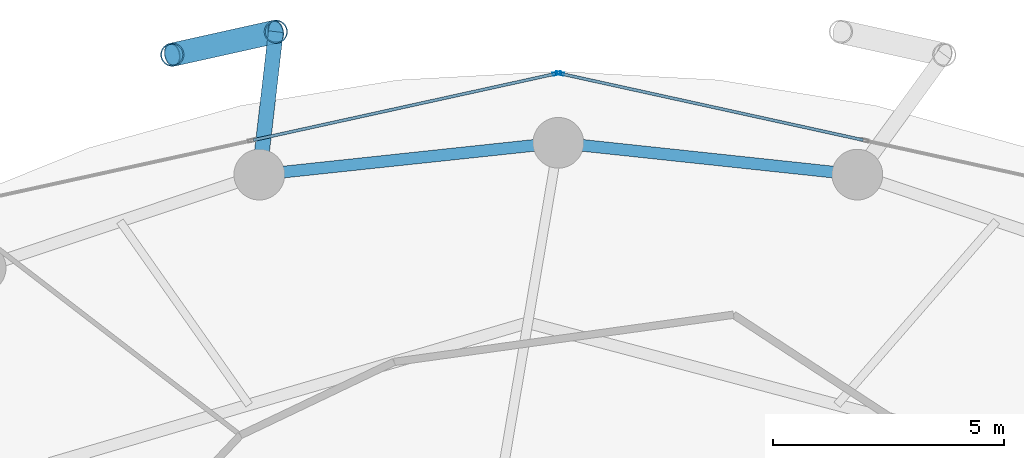
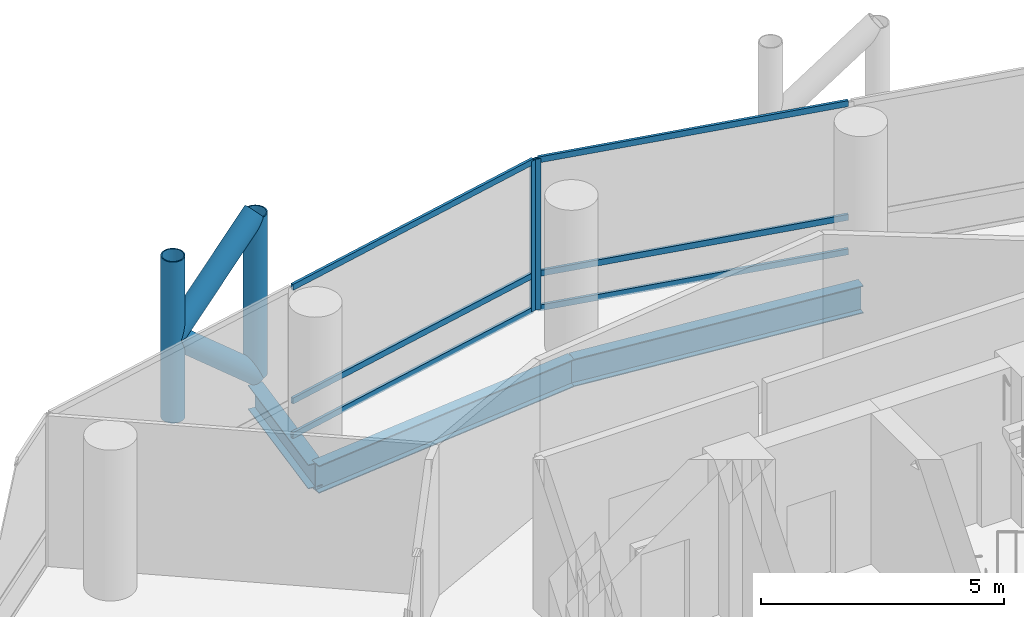
# One storey, part 16 of 24: 12 members, 3 beams, 2 elements without a shape of their own.
"""IFC4 building model written with IfcOpenShell, lengths in metres."""

import ifcopenshell
import ifcopenshell.guid

model = None  # the IFC model being written
_history = None  # IfcOwnerHistory: only IFC2X3 demands one
_inside = {}  # id of a spatial element -> (the spatial element, [elements in it])
_under = {}  # id of a project, library or spatial element -> (it, [spatial elements below it])
_declared = {}  # id of a project -> (the project, [libraries it declares])
_typed = {}  # id of a type object -> (the type object, [elements of that type])
_made_of = {}  # id of a material, layer set ... -> (it, [elements and type objects made of it])


def new_model(schema):
    """Start an empty IFC model of exactly this schema.

    Asked for "IFC4X3", IfcOpenShell would pick the latest addendum, in which some entities
    have other attributes; the version numbers below select the first issue.
    IFC2X3 requires an IfcOwnerHistory on every rooted entity: one is made here for all.
    """
    global model, _history
    if schema == "IFC4X3":
        model = ifcopenshell.file(schema_version=(4, 3, 0, 0))
    else:
        model = ifcopenshell.file(schema=schema)
    _inside.clear()
    _under.clear()
    _declared.clear()
    _typed.clear()
    _made_of.clear()
    _history = None
    if model.schema == "IFC2X3":
        org = make("IfcOrganization", Name="unknown")
        user = make(
            "IfcPersonAndOrganization",
            ThePerson=make("IfcPerson", FamilyName="unknown"),
            TheOrganization=org,
        )
        app = make(
            "IfcApplication",
            ApplicationDeveloper=org,
            Version="unknown",
            ApplicationFullName="unknown",
            ApplicationIdentifier="unknown",
        )
        _history = make(
            "IfcOwnerHistory",
            OwningUser=user,
            OwningApplication=app,
            ChangeAction="ADDED",
            CreationDate=0,
        )
    return model


def make(cls, **values):
    """One entity of the class cls with the attributes given. An attribute that is None is left unset."""
    return model.create_entity(
        cls, **{name: value for name, value in values.items() if value is not None}
    )


def rooted(cls, **values):
    """An entity with a GlobalId (a new one), such as an element, a storey or a relation."""
    return make(cls, GlobalId=ifcopenshell.guid.new(), OwnerHistory=_history, **values)


def si_unit(unit_type, name, prefix=None):
    """IfcSIUnit, for example si_unit("LENGTHUNIT", "METRE", prefix="MILLI")."""
    return make("IfcSIUnit", UnitType=unit_type, Prefix=prefix, Name=name)


def assignment(units):
    """IfcUnitAssignment: the units of a project."""
    return None if units is None else make("IfcUnitAssignment", Units=units)


def point(xyz):
    """IfcCartesianPoint."""
    return None if xyz is None else make("IfcCartesianPoint", Coordinates=xyz)


def direction(xyz):
    """IfcDirection."""
    return None if xyz is None else make("IfcDirection", DirectionRatios=xyz)


def frame(location, z_axis=None, x_axis=None):
    """IfcAxis2Placement3D, a coordinate frame: its origin and axes. An axis left out is left unset."""
    return make(
        "IfcAxis2Placement3D",
        Location=point(location),
        Axis=direction(z_axis),
        RefDirection=direction(x_axis),
    )


def frame_2d(location, x_axis=None):
    """IfcAxis2Placement2D, a coordinate frame in the plane: its origin and x axis."""
    return make(
        "IfcAxis2Placement2D", Location=point(location), RefDirection=direction(x_axis)
    )


def origin():
    """The frame at (0, 0, 0) with its axes left unset."""
    return frame((0.0, 0.0, 0.0))


def origin_2d():
    """The frame at (0, 0) in the plane with its x axis left unset."""
    return frame_2d((0.0, 0.0))


def place(relative_to, where):
    """IfcLocalPlacement: puts the frame where relative to a parent placement (None: the world)."""
    return make(
        "IfcLocalPlacement", PlacementRelTo=relative_to, RelativePlacement=where
    )


def context(
    kind, dimensions, precision=None, world=None, true_north=None, identifier=None
):
    """IfcGeometricRepresentationContext, for example the 3D "Model" context."""
    return make(
        "IfcGeometricRepresentationContext",
        ContextIdentifier=identifier,
        ContextType=kind,
        CoordinateSpaceDimension=dimensions,
        Precision=precision,
        WorldCoordinateSystem=world,
        TrueNorth=true_north,
    )


def subcontext(parent, identifier, kind, view, scale=None):
    """IfcGeometricRepresentationSubContext, for example "Body" below "Model"."""
    return make(
        "IfcGeometricRepresentationSubContext",
        ContextIdentifier=identifier,
        ContextType=kind,
        ParentContext=parent,
        TargetScale=scale,
        TargetView=view,
    )


def project(units=None, contexts=None):
    """IfcProject with its units and contexts."""
    return rooted(
        "IfcProject",
        Name="project",
        RepresentationContexts=contexts,
        UnitsInContext=assignment(units),
    )


def spatial(cls, under=None, at=None, **own):
    """A site, building, storey or space (cls), placed at a placement, below another one or the project."""
    s = rooted(cls, ObjectPlacement=at, **own)
    if under is not None:
        _under.setdefault(under.id(), (under, []))[1].append(s)
    return s


def profile(cls, at=None, kind="AREA", **sizes):
    """A parametric profile (cls). Its sizes go by their IFC names, for example OverallWidth=200.0."""
    return make(cls, ProfileType=kind, Position=at, **sizes)


def hollow_rectangle(**sizes):
    """IfcRectangleHollowProfileDef."""
    return profile("IfcRectangleHollowProfileDef", **sizes)


def hollow_circle(**sizes):
    """IfcCircleHollowProfileDef."""
    return profile("IfcCircleHollowProfileDef", **sizes)


def i_section(**sizes):
    """IfcIShapeProfileDef."""
    return profile("IfcIShapeProfileDef", **sizes)


def extrude(swept, where, along, depth):
    """IfcExtrudedAreaSolid: the profile swept, set in the frame where, extruded along a direction by depth."""
    return make(
        "IfcExtrudedAreaSolid",
        SweptArea=swept,
        Position=where,
        ExtrudedDirection=direction(along),
        Depth=depth,
    )


def shape(context_of_items, identifier, shape_type, items):
    """IfcShapeRepresentation: the items that make up one representation, for example the "Body"."""
    return make(
        "IfcShapeRepresentation",
        ContextOfItems=context_of_items,
        RepresentationIdentifier=identifier,
        RepresentationType=shape_type,
        Items=items,
    )


def material(Name=None, Category=None):
    """IfcMaterial."""
    return make("IfcMaterial", Name=Name, Category=Category)


def layer(
    of_material, thickness, ventilated=None, Name=None, Category=None, Priority=None
):
    """IfcMaterialLayer: one layer of a wall or slab, of a material (None: an air gap)."""
    return make(
        "IfcMaterialLayer",
        Material=of_material,
        LayerThickness=thickness,
        IsVentilated=ventilated,
        Name=Name,
        Category=Category,
        Priority=Priority,
    )


def layer_set(layers, Name=None):
    """IfcMaterialLayerSet."""
    return make("IfcMaterialLayerSet", MaterialLayers=layers, LayerSetName=Name)


def material_profile(
    of_material, cross_section, Name=None, Category=None, Priority=None
):
    """IfcMaterialProfile: a cross section and its material."""
    return make(
        "IfcMaterialProfile",
        Name=Name,
        Material=of_material,
        Profile=cross_section,
        Priority=Priority,
        Category=Category,
    )


def profile_set(profiles, Name=None, composite=None):
    """IfcMaterialProfileSet."""
    return make(
        "IfcMaterialProfileSet",
        Name=Name,
        MaterialProfiles=profiles,
        CompositeProfile=composite,
    )


def made_of(thing, what):
    """Note that an element or type object is made of a material, layer set ...; save() writes the relation."""
    if what is not None:
        _made_of.setdefault(what.id(), (what, []))[1].append(thing)
    return thing


def type_object(cls, material=None, **own):
    """A type object (cls), such as IfcWallType, which elements share."""
    return made_of(rooted(cls, **own), material)


def element(
    cls,
    number,
    at=None,
    inside=None,
    cuts=None,
    type_object=None,
    material=None,
    context=None,
    identifier="Body",
    shape_type=None,
    held_by="IfcProductDefinitionShape",
    body=None,
    shapes=None,
    **own,
):
    """One element of the class cls, such as IfcWall. Its Tag is "e" and its number.

    at: its placement. inside: the storey or other place that contains it. cuts: it is an
    opening in that element (IfcRelVoidsElement). A single representation is given by context,
    identifier, shape_type and body (its items); several are given by shapes. held_by: the class
    of the entity that holds the representations. save() writes the other relations.
    """
    e = rooted(cls, Tag="e%d" % number, ObjectPlacement=at, **own)
    if body is not None:
        shapes = [shape(context, identifier, shape_type, body)]
    if shapes is not None:
        e.Representation = make(held_by, Representations=shapes)
    if inside is not None:
        _inside.setdefault(inside.id(), (inside, []))[1].append(e)
    if cuts is not None:
        rooted(
            "IfcRelVoidsElement", RelatingBuildingElement=cuts, RelatedOpeningElement=e
        )
    if type_object is not None:
        _typed.setdefault(type_object.id(), (type_object, []))[1].append(e)
    return made_of(e, material)


def aggregate(whole, parts):
    """IfcRelAggregates: a whole, such as a stair, and the parts it consists of."""
    return rooted("IfcRelAggregates", RelatingObject=whole, RelatedObjects=parts)


def save(model, path):
    """Write the relations noted so far, then the file.

    IfcRelAggregates (storeys below a building ...), IfcRelContainedInSpatialStructure (elements
    in a storey), IfcRelDefinesByType, IfcRelAssociatesMaterial and IfcRelDeclares: one each for
    every whole, place, type object, material and project.
    """
    for whole, parts in _under.values():
        aggregate(whole, parts)
    for where, things in _inside.values():
        rooted(
            "IfcRelContainedInSpatialStructure",
            RelatedElements=things,
            RelatingStructure=where,
        )
    for kind, things in _typed.values():
        rooted("IfcRelDefinesByType", RelatedObjects=things, RelatingType=kind)
    for what, things in _made_of.values():
        rooted("IfcRelAssociatesMaterial", RelatedObjects=things, RelatingMaterial=what)
    for by, libraries in _declared.values():
        rooted("IfcRelDeclares", RelatingContext=by, RelatedDefinitions=libraries)
    model.write(path)


model = new_model("IFC4")

# Units and contexts
model_context = context("Model", 3, precision=1e-05, world=origin(), true_north=direction((0.0, 1.0)))
body_context = subcontext(model_context, "Body", "Model", "MODEL_VIEW")
ifc_project = project(units=[si_unit("LENGTHUNIT", "METRE"), si_unit("AREAUNIT", "SQUARE_METRE"), si_unit("VOLUMEUNIT", "CUBIC_METRE"), si_unit("PLANEANGLEUNIT", "RADIAN"), si_unit("MASSUNIT", "GRAM", prefix="KILO")], contexts=[model_context])

# Site, building, storey
site_placement = place(None, origin())
site = spatial("IfcSite", under=ifc_project, at=site_placement, CompositionType="ELEMENT")
building_placement = place(site_placement, origin())
building = spatial("IfcBuilding", under=site, at=building_placement, Name="Nuhasar Tower", CompositionType="ELEMENT")
storey_placement = place(building_placement, frame((0.0, 0.0, 33.14990234375)))
storey = spatial("IfcBuildingStorey", under=building, at=storey_placement, Name="L07", CompositionType="ELEMENT", Elevation=33.14990234375)

# Beams
ifc_material_1 = material(Name="Steel S355", Category="steel")
ifc_material_profile_1 = material_profile(ifc_material_1, i_section(OverallWidth=0.256103515625, OverallDepth=0.693115234375, WebThickness=0.014404296875, FlangeThickness=0.023681640625, at=origin_2d()), Name="W27X114")
ifc_profile_set_1 = profile_set([ifc_material_profile_1], Name="Steel S355")
beam_type_1 = type_object("IfcBeamType", Name="BM-RING-W27X114", PredefinedType="SPANDREL", material=ifc_profile_set_1)
for number, where, z_axis, x_axis, name in (
    (1, (45.48291015625, 46.360107421875, -0.60595703125), (-0.994384554061, 0.105827022286, 0.0), (-0.105827022286, -0.994384554061, 0.0), "L07 Perimeter Ring Spandrel 06"),
    (2, (39.0, 47.050048828125, -0.60595703125), (-0.994384554061, -0.105827022286, 0.0), (0.105827022286, -0.994384554061, 0.0), "L07 Perimeter Ring Spandrel 07"),
):
    element("IfcBeam", number, at=place(storey_placement, frame(where, z_axis=z_axis, x_axis=x_axis)), inside=storey, type_object=beam_type_1, Name=name, PredefinedType="SPANDREL", context=body_context, shape_type="SweptSolid", body=[
        extrude(i_section(OverallWidth=0.256103515625, OverallDepth=0.693115234375, WebThickness=0.014404296875, FlangeThickness=0.023681640625, at=origin_2d()), origin(), (0.0, 0.0, 1.0), 6.51953125),
    ])
ifc_material_profile_2 = material_profile(ifc_material_1, i_section(OverallWidth=0.323974609375, OverallDepth=0.611083984375, WebThickness=0.0126953125, FlangeThickness=0.01904296875, at=origin_2d()), Name="W24X104")
ifc_profile_set_2 = profile_set([ifc_material_profile_2], Name="Steel S355")
beam_type_2 = type_object("IfcBeamType", Name="BM-TIE-W24X104", PredefinedType="BEAM", material=ifc_profile_set_2)
beam_placement = place(storey_placement, frame((32.51708984375, 46.360107421875, -0.56591796875), z_axis=(0.115042934281, 0.993360520291, 0.0), x_axis=(-0.993360520291, 0.115042934281, 0.0)))
element("IfcBeam", 3, at=beam_placement, inside=storey, type_object=beam_type_2, Name="L07 Exoskeleton Node Tie Beam 04", PredefinedType="BEAM", context=body_context, shape_type="SweptSolid", body=[
    extrude(i_section(OverallWidth=0.323974609375, OverallDepth=0.611083984375, WebThickness=0.0126953125, FlangeThickness=0.01904296875, at=origin_2d()), origin(), (0.0, 0.0, 1.0), 3.11962890625),
])

# Curtain wall, member
ifc_material_2 = material(Name="Aluminium 6063-T6", Category="aluminium")
ifc_layer = layer(ifc_material_2, 0.199951171875)
ifc_layer_set = layer_set([ifc_layer], Name="Aluminium 6063-T6")
curtain_wall_type = type_object("IfcCurtainWallType", Name="CW-Z1-OFF", PredefinedType="NOTDEFINED", material=ifc_layer_set)
curtain_wall_1_placement = place(storey_placement, origin())
curtain_wall_1 = element("IfcCurtainWall", 4, at=curtain_wall_1_placement, inside=storey, type_object=curtain_wall_type, Name="L07 Unitised Curtain Wall 03", PredefinedType="NOTDEFINED")
ifc_material_profile_3 = material_profile(ifc_material_2, hollow_rectangle(XDim=0.06494140625, YDim=0.179931640625, WallThickness=0.0048828125, at=origin_2d()), Name="CWM-2")
ifc_profile_set_3 = profile_set([ifc_material_profile_3], Name="Aluminium 6063-T6")
member_type_1 = type_object("IfcMemberType", Name="CW-MUL-S2", PredefinedType="MULLION", material=ifc_profile_set_3)
member_1_placement = place(storey_placement, frame((39.03173828125, 48.552978515625, 0.0), z_axis=(0.0, 0.0, 1.0), x_axis=(-0.214398737637, -0.976746221544, 0.0)))
member_1 = element("IfcMember", 5, at=member_1_placement, type_object=member_type_1, Name="CW-Z1 mullion 3", PredefinedType="MULLION", context=body_context, shape_type="SweptSolid", body=[
    extrude(hollow_rectangle(XDim=0.06494140625, YDim=0.179931640625, WallThickness=0.0048828125, at=origin_2d()), origin(), (0.0, 0.0, 1.0), 3.7900390625),
])

curtain_wall_2_placement = place(storey_placement, origin())
curtain_wall_2 = element("IfcCurtainWall", 6, at=curtain_wall_2_placement, inside=storey, type_object=curtain_wall_type, Name="L07 Unitised Curtain Wall 04", PredefinedType="NOTDEFINED")
member_2_placement = place(storey_placement, frame((38.96826171875, 48.552978515625, 0.0), z_axis=(0.0, 0.0, 1.0), x_axis=(0.214398737637, -0.976746221544, 0.0)))
member_2 = element("IfcMember", 7, at=member_2_placement, type_object=member_type_1, Name="CW-Z1 mullion 1", PredefinedType="MULLION", context=body_context, shape_type="SweptSolid", body=[
    extrude(hollow_rectangle(XDim=0.06494140625, YDim=0.179931640625, WallThickness=0.0048828125, at=origin_2d()), origin(), (0.0, 0.0, 1.0), 3.7900390625),
])

# Member
ifc_material_profile_4 = material_profile(ifc_material_2, hollow_rectangle(XDim=0.06494140625, YDim=0.14990234375, WallThickness=0.00439453125, at=origin_2d()), Name="CWT-2")
ifc_profile_set_4 = profile_set([ifc_material_profile_4], Name="Aluminium 6063-T6")
member_type_2 = type_object("IfcMemberType", Name="CW-TRN-S2", PredefinedType="USERDEFINED", material=ifc_profile_set_4)
member_3_placement = place(storey_placement, frame((45.608154296875, 47.109375, 0.03271484375), z_axis=(-0.976740248595, 0.214425947065, 0.0), x_axis=(-0.214425947065, -0.976740248595, 0.0)))
member_3 = element("IfcMember", 8, at=member_3_placement, type_object=member_type_2, Name="CW-Z1 transom 2.1", ObjectType="TRANSOM", PredefinedType="USERDEFINED", context=body_context, shape_type="SweptSolid", body=[
    extrude(hollow_rectangle(XDim=0.06494140625, YDim=0.14990234375, WallThickness=0.00439453125, at=origin_2d()), origin(), (0.0, 0.0, 1.0), 6.700439453125),
])

member_4_placement = place(storey_placement, frame((45.608154296875, 47.109375, 0.900146484375), z_axis=(-0.976740248595, 0.214425947065, 0.0), x_axis=(-0.214425947065, -0.976740248595, 0.0)))
member_4 = element("IfcMember", 9, at=member_4_placement, type_object=member_type_2, Name="CW-Z1 transom 2.2", ObjectType="TRANSOM", PredefinedType="USERDEFINED", context=body_context, shape_type="SweptSolid", body=[
    extrude(hollow_rectangle(XDim=0.06494140625, YDim=0.14990234375, WallThickness=0.00439453125, at=origin_2d()), origin(), (0.0, 0.0, 1.0), 6.700439453125),
])

member_5_placement = place(storey_placement, frame((45.608154296875, 47.109375, 3.757568359375), z_axis=(-0.976740248595, 0.214425947065, 0.0), x_axis=(-0.214425947065, -0.976740248595, 0.0)))
member_5 = element("IfcMember", 10, at=member_5_placement, type_object=member_type_2, Name="CW-Z1 transom 2.3", ObjectType="TRANSOM", PredefinedType="USERDEFINED", context=body_context, shape_type="SweptSolid", body=[
    extrude(hollow_rectangle(XDim=0.06494140625, YDim=0.14990234375, WallThickness=0.00439453125, at=origin_2d()), origin(), (0.0, 0.0, 1.0), 6.700439453125),
])

aggregate(curtain_wall_1, [member_1, member_3, member_4, member_5])

member_6_placement = place(storey_placement, frame((38.9365234375, 48.546142578125, 0.03271484375), z_axis=(-0.976740248595, -0.214425947065, 0.0), x_axis=(0.214425947065, -0.976740248595, 0.0)))
member_6 = element("IfcMember", 11, at=member_6_placement, type_object=member_type_2, Name="CW-Z1 transom 1.1", ObjectType="TRANSOM", PredefinedType="USERDEFINED", context=body_context, shape_type="SweptSolid", body=[
    extrude(hollow_rectangle(XDim=0.06494140625, YDim=0.14990234375, WallThickness=0.00439453125, at=origin_2d()), origin(), (0.0, 0.0, 1.0), 6.700439453125),
])

member_7_placement = place(storey_placement, frame((38.9365234375, 48.546142578125, 0.900146484375), z_axis=(-0.976740248595, -0.214425947065, 0.0), x_axis=(0.214425947065, -0.976740248595, 0.0)))
member_7 = element("IfcMember", 12, at=member_7_placement, type_object=member_type_2, Name="CW-Z1 transom 1.2", ObjectType="TRANSOM", PredefinedType="USERDEFINED", context=body_context, shape_type="SweptSolid", body=[
    extrude(hollow_rectangle(XDim=0.06494140625, YDim=0.14990234375, WallThickness=0.00439453125, at=origin_2d()), origin(), (0.0, 0.0, 1.0), 6.700439453125),
])

member_8_placement = place(storey_placement, frame((38.9365234375, 48.546142578125, 3.757568359375), z_axis=(-0.976740248595, -0.214425947065, 0.0), x_axis=(0.214425947065, -0.976740248595, 0.0)))
member_8 = element("IfcMember", 13, at=member_8_placement, type_object=member_type_2, Name="CW-Z1 transom 1.3", ObjectType="TRANSOM", PredefinedType="USERDEFINED", context=body_context, shape_type="SweptSolid", body=[
    extrude(hollow_rectangle(XDim=0.06494140625, YDim=0.14990234375, WallThickness=0.00439453125, at=origin_2d()), origin(), (0.0, 0.0, 1.0), 6.700439453125),
])

aggregate(curtain_wall_2, [member_2, member_6, member_7, member_8])

# Members
ifc_material_3 = material(Name="Steel S460", Category="steel")
ifc_material_profile_5 = material_profile(ifc_material_3, hollow_circle(Radius=0.25390625, WallThickness=0.025390625, at=origin_2d()), Name="HSS508X25.4")
ifc_profile_set_5 = profile_set([ifc_material_profile_5], Name="Steel S460")
member_type_3 = type_object("IfcMemberType", Name="EXO-BRONZE-508", PredefinedType="BRACE", material=ifc_profile_set_5)
for number, where, z_axis, x_axis, name in (
    (14, (32.8759765625, 49.458984375, 0.0), (0.0, 0.0, 1.0), (1.0, 0.0, 0.0), "L07 Exoskeleton Chord Column EC-04A"),
    (15, (30.6298828125, 48.9599609375, 0.0), (0.0, 0.0, 1.0), (1.0, 0.0, 0.0), "L07 Exoskeleton Chord Column EC-04B"),
):
    element("IfcMember", number, at=place(storey_placement, frame(where, z_axis=z_axis, x_axis=x_axis)), inside=storey, type_object=member_type_3, Name=name, PredefinedType="BRACE", context=body_context, shape_type="SweptSolid", body=[
        extrude(hollow_circle(Radius=0.25390625, WallThickness=0.025390625, at=origin_2d()), origin(), (0.0, 0.0, 1.0), 4.050048828125),
    ])
member_9_placement = place(storey_placement, frame((32.8759765625, 49.458984375, 0.0), z_axis=(-0.732782908552, -0.162805246204, 0.660699372439), x_axis=(0.216885517571, -0.97619704582, 0.0)))
element("IfcMember", 16, at=member_9_placement, inside=storey, type_object=member_type_3, Name="L07 Bronze Diagrid Brace W1-04", PredefinedType="BRACE", context=body_context, shape_type="SweptSolid", body=[
    extrude(hollow_circle(Radius=0.25390625, WallThickness=0.025390625, at=origin_2d()), origin(), (0.0, 0.0, 1.0), 3.065185546875),
])
member_10_placement = place(storey_placement, frame((30.6298828125, 48.9599609375, 2.025146484375), z_axis=(0.732821471909, 0.162813813976, 0.660654487828), x_axis=(-0.216885517571, 0.97619704582, 0.0)))
element("IfcMember", 17, at=member_10_placement, inside=storey, type_object=member_type_3, Name="L07 Bronze Diagrid Brace W2-04", PredefinedType="BRACE", context=body_context, shape_type="SweptSolid", body=[
    extrude(hollow_circle(Radius=0.25390625, WallThickness=0.025390625, at=origin_2d()), origin(), (0.0, 0.0, 1.0), 3.06494140625),
])

save(model, "model.ifc")
